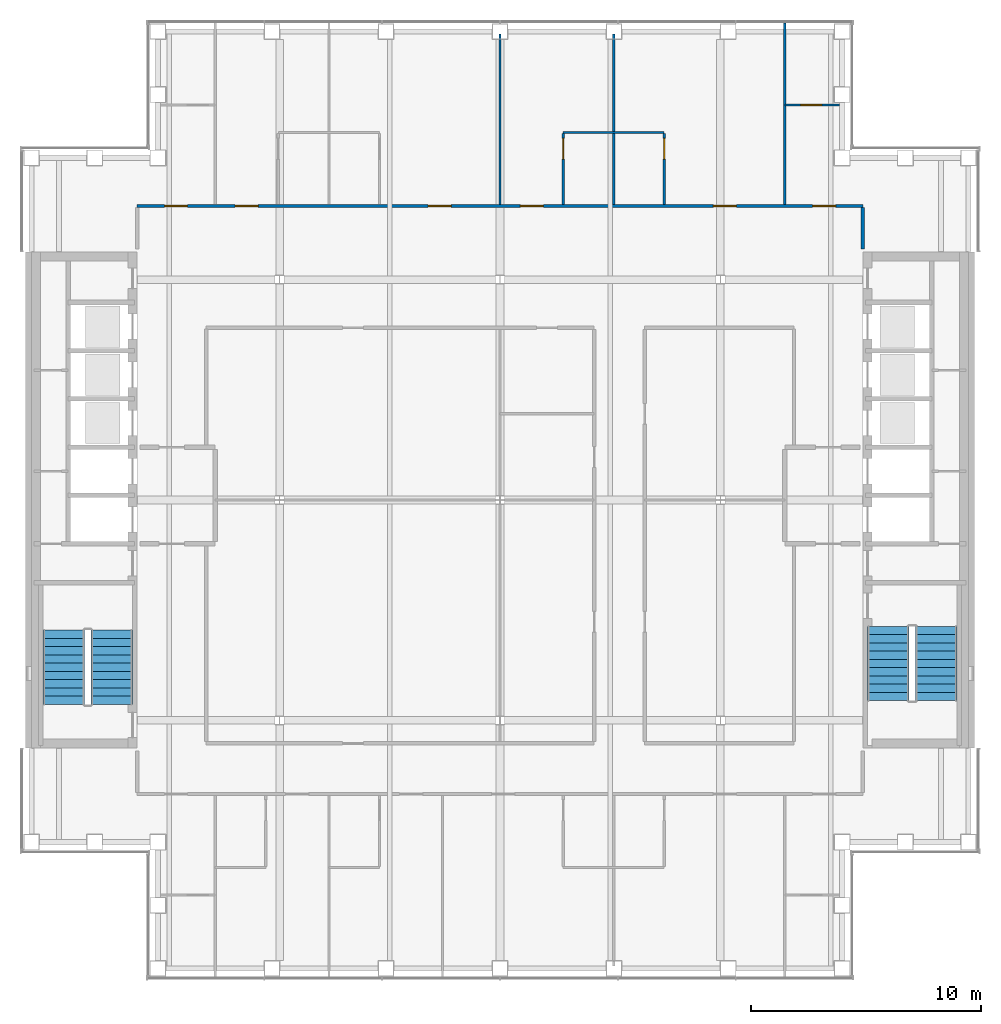
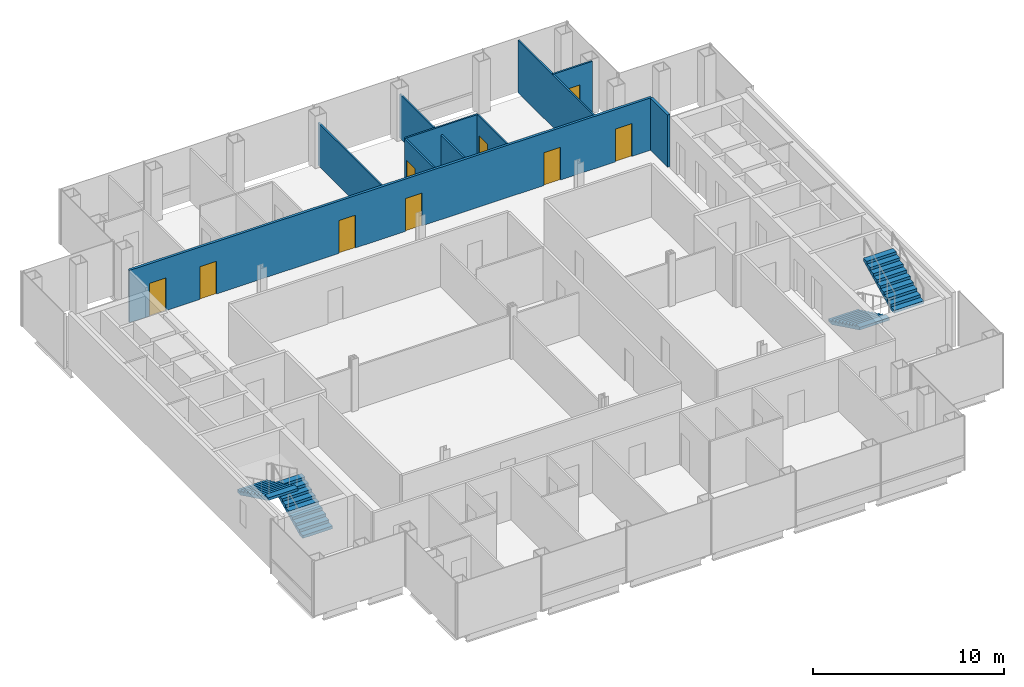
# One storey, part 13 of 15: 10 walls, 9 doors, 4 stair flights, 9 openings, 2 elements without a shape of their own.
"""IFC4 building model written with IfcOpenShell, lengths in metres."""

import ifcopenshell
import ifcopenshell.guid

model = None  # the IFC model being written
_history = None  # IfcOwnerHistory: only IFC2X3 demands one
_inside = {}  # id of a spatial element -> (the spatial element, [elements in it])
_under = {}  # id of a project, library or spatial element -> (it, [spatial elements below it])
_declared = {}  # id of a project -> (the project, [libraries it declares])
_typed = {}  # id of a type object -> (the type object, [elements of that type])
_made_of = {}  # id of a material, layer set ... -> (it, [elements and type objects made of it])


def new_model(schema):
    """Start an empty IFC model of exactly this schema.

    Asked for "IFC4X3", IfcOpenShell would pick the latest addendum, in which some entities
    have other attributes; the version numbers below select the first issue.
    IFC2X3 requires an IfcOwnerHistory on every rooted entity: one is made here for all.
    """
    global model, _history
    if schema == "IFC4X3":
        model = ifcopenshell.file(schema_version=(4, 3, 0, 0))
    else:
        model = ifcopenshell.file(schema=schema)
    _inside.clear()
    _under.clear()
    _declared.clear()
    _typed.clear()
    _made_of.clear()
    _history = None
    if model.schema == "IFC2X3":
        org = make("IfcOrganization", Name="unknown")
        user = make(
            "IfcPersonAndOrganization",
            ThePerson=make("IfcPerson", FamilyName="unknown"),
            TheOrganization=org,
        )
        app = make(
            "IfcApplication",
            ApplicationDeveloper=org,
            Version="unknown",
            ApplicationFullName="unknown",
            ApplicationIdentifier="unknown",
        )
        _history = make(
            "IfcOwnerHistory",
            OwningUser=user,
            OwningApplication=app,
            ChangeAction="ADDED",
            CreationDate=0,
        )
    return model


def make(cls, **values):
    """One entity of the class cls with the attributes given. An attribute that is None is left unset."""
    return model.create_entity(
        cls, **{name: value for name, value in values.items() if value is not None}
    )


def rooted(cls, **values):
    """An entity with a GlobalId (a new one), such as an element, a storey or a relation."""
    return make(cls, GlobalId=ifcopenshell.guid.new(), OwnerHistory=_history, **values)


def si_unit(unit_type, name, prefix=None):
    """IfcSIUnit, for example si_unit("LENGTHUNIT", "METRE", prefix="MILLI")."""
    return make("IfcSIUnit", UnitType=unit_type, Prefix=prefix, Name=name)


def assignment(units):
    """IfcUnitAssignment: the units of a project."""
    return None if units is None else make("IfcUnitAssignment", Units=units)


def point(xyz):
    """IfcCartesianPoint."""
    return None if xyz is None else make("IfcCartesianPoint", Coordinates=xyz)


def direction(xyz):
    """IfcDirection."""
    return None if xyz is None else make("IfcDirection", DirectionRatios=xyz)


def frame(location, z_axis=None, x_axis=None):
    """IfcAxis2Placement3D, a coordinate frame: its origin and axes. An axis left out is left unset."""
    return make(
        "IfcAxis2Placement3D",
        Location=point(location),
        Axis=direction(z_axis),
        RefDirection=direction(x_axis),
    )


def frame_2d(location, x_axis=None):
    """IfcAxis2Placement2D, a coordinate frame in the plane: its origin and x axis."""
    return make(
        "IfcAxis2Placement2D", Location=point(location), RefDirection=direction(x_axis)
    )


def origin():
    """The frame at (0, 0, 0) with its axes left unset."""
    return frame((0.0, 0.0, 0.0))


def place(relative_to, where):
    """IfcLocalPlacement: puts the frame where relative to a parent placement (None: the world)."""
    return make(
        "IfcLocalPlacement", PlacementRelTo=relative_to, RelativePlacement=where
    )


def context(
    kind, dimensions, precision=None, world=None, true_north=None, identifier=None
):
    """IfcGeometricRepresentationContext, for example the 3D "Model" context."""
    return make(
        "IfcGeometricRepresentationContext",
        ContextIdentifier=identifier,
        ContextType=kind,
        CoordinateSpaceDimension=dimensions,
        Precision=precision,
        WorldCoordinateSystem=world,
        TrueNorth=true_north,
    )


def subcontext(parent, identifier, kind, view, scale=None):
    """IfcGeometricRepresentationSubContext, for example "Body" below "Model"."""
    return make(
        "IfcGeometricRepresentationSubContext",
        ContextIdentifier=identifier,
        ContextType=kind,
        ParentContext=parent,
        TargetScale=scale,
        TargetView=view,
    )


def project(units=None, contexts=None):
    """IfcProject with its units and contexts."""
    return rooted(
        "IfcProject",
        Name="project",
        RepresentationContexts=contexts,
        UnitsInContext=assignment(units),
    )


def spatial(cls, under=None, at=None, **own):
    """A site, building, storey or space (cls), placed at a placement, below another one or the project."""
    s = rooted(cls, ObjectPlacement=at, **own)
    if under is not None:
        _under.setdefault(under.id(), (under, []))[1].append(s)
    return s


def polyline(points):
    """IfcPolyline through the points."""
    return make("IfcPolyline", Points=[point(p) for p in points])


def profile(cls, at=None, kind="AREA", **sizes):
    """A parametric profile (cls). Its sizes go by their IFC names, for example OverallWidth=200.0."""
    return make(cls, ProfileType=kind, Position=at, **sizes)


def rectangle(**sizes):
    """IfcRectangleProfileDef."""
    return profile("IfcRectangleProfileDef", **sizes)


def outline(outer, holes=None, kind="AREA"):
    """IfcArbitraryClosedProfileDef: a profile drawn as a closed curve; with holes, ...WithVoids."""
    if holes is None:
        return make("IfcArbitraryClosedProfileDef", ProfileType=kind, OuterCurve=outer)
    return make(
        "IfcArbitraryProfileDefWithVoids",
        ProfileType=kind,
        OuterCurve=outer,
        InnerCurves=holes,
    )


def extrude(swept, where, along, depth):
    """IfcExtrudedAreaSolid: the profile swept, set in the frame where, extruded along a direction by depth."""
    return make(
        "IfcExtrudedAreaSolid",
        SweptArea=swept,
        Position=where,
        ExtrudedDirection=direction(along),
        Depth=depth,
    )


def shape(context_of_items, identifier, shape_type, items):
    """IfcShapeRepresentation: the items that make up one representation, for example the "Body"."""
    return make(
        "IfcShapeRepresentation",
        ContextOfItems=context_of_items,
        RepresentationIdentifier=identifier,
        RepresentationType=shape_type,
        Items=items,
    )


def material(Name=None, Category=None):
    """IfcMaterial."""
    return make("IfcMaterial", Name=Name, Category=Category)


def layer(
    of_material, thickness, ventilated=None, Name=None, Category=None, Priority=None
):
    """IfcMaterialLayer: one layer of a wall or slab, of a material (None: an air gap)."""
    return make(
        "IfcMaterialLayer",
        Material=of_material,
        LayerThickness=thickness,
        IsVentilated=ventilated,
        Name=Name,
        Category=Category,
        Priority=Priority,
    )


def layer_set(layers, Name=None):
    """IfcMaterialLayerSet."""
    return make("IfcMaterialLayerSet", MaterialLayers=layers, LayerSetName=Name)


def made_of(thing, what):
    """Note that an element or type object is made of a material, layer set ...; save() writes the relation."""
    if what is not None:
        _made_of.setdefault(what.id(), (what, []))[1].append(thing)
    return thing


def type_object(cls, material=None, **own):
    """A type object (cls), such as IfcWallType, which elements share."""
    return made_of(rooted(cls, **own), material)


def element(
    cls,
    number,
    at=None,
    inside=None,
    cuts=None,
    type_object=None,
    material=None,
    context=None,
    identifier="Body",
    shape_type=None,
    held_by="IfcProductDefinitionShape",
    body=None,
    shapes=None,
    **own,
):
    """One element of the class cls, such as IfcWall. Its Tag is "e" and its number.

    at: its placement. inside: the storey or other place that contains it. cuts: it is an
    opening in that element (IfcRelVoidsElement). A single representation is given by context,
    identifier, shape_type and body (its items); several are given by shapes. held_by: the class
    of the entity that holds the representations. save() writes the other relations.
    """
    e = rooted(cls, Tag="e%d" % number, ObjectPlacement=at, **own)
    if body is not None:
        shapes = [shape(context, identifier, shape_type, body)]
    if shapes is not None:
        e.Representation = make(held_by, Representations=shapes)
    if inside is not None:
        _inside.setdefault(inside.id(), (inside, []))[1].append(e)
    if cuts is not None:
        rooted(
            "IfcRelVoidsElement", RelatingBuildingElement=cuts, RelatedOpeningElement=e
        )
    if type_object is not None:
        _typed.setdefault(type_object.id(), (type_object, []))[1].append(e)
    return made_of(e, material)


def fill(opening, filler):
    """IfcRelFillsElement: the door or window that sits in an opening."""
    return rooted(
        "IfcRelFillsElement",
        RelatingOpeningElement=opening,
        RelatedBuildingElement=filler,
    )


def aggregate(whole, parts):
    """IfcRelAggregates: a whole, such as a stair, and the parts it consists of."""
    return rooted("IfcRelAggregates", RelatingObject=whole, RelatedObjects=parts)


def save(model, path):
    """Write the relations noted so far, then the file.

    IfcRelAggregates (storeys below a building ...), IfcRelContainedInSpatialStructure (elements
    in a storey), IfcRelDefinesByType, IfcRelAssociatesMaterial and IfcRelDeclares: one each for
    every whole, place, type object, material and project.
    """
    for whole, parts in _under.values():
        aggregate(whole, parts)
    for where, things in _inside.values():
        rooted(
            "IfcRelContainedInSpatialStructure",
            RelatedElements=things,
            RelatingStructure=where,
        )
    for kind, things in _typed.values():
        rooted("IfcRelDefinesByType", RelatedObjects=things, RelatingType=kind)
    for what, things in _made_of.values():
        rooted("IfcRelAssociatesMaterial", RelatedObjects=things, RelatingMaterial=what)
    for by, libraries in _declared.values():
        rooted("IfcRelDeclares", RelatingContext=by, RelatedDefinitions=libraries)
    model.write(path)


model = new_model("IFC4")

# Units and contexts
model_context = context("Model", 3, precision=1e-05, world=origin(), true_north=direction((0.0, 1.0)))
body_context = subcontext(model_context, "Body", "Model", "MODEL_VIEW")
ifc_project = project(units=[si_unit("LENGTHUNIT", "METRE"), si_unit("AREAUNIT", "SQUARE_METRE"), si_unit("VOLUMEUNIT", "CUBIC_METRE"), si_unit("PLANEANGLEUNIT", "RADIAN"), si_unit("MASSUNIT", "GRAM", prefix="KILO")], contexts=[model_context])

# Site, building, storey
site_placement = place(None, origin())
site = spatial("IfcSite", under=ifc_project, at=site_placement, CompositionType="ELEMENT")
building_placement = place(site_placement, origin())
building = spatial("IfcBuilding", under=site, at=building_placement, Name="Cobrizo Arcos Hotel Tower", CompositionType="ELEMENT")
storey_placement = place(building_placement, frame((0.0, 0.0, 201.5)))
storey = spatial("IfcBuildingStorey", under=building, at=storey_placement, Name="L52", CompositionType="ELEMENT", Elevation=201.5)

# Wall, openings, doors
ifc_material_1 = material(Name="Gypsum board partition")
ifc_layer_1 = layer(ifc_material_1, 0.14990234375)
ifc_layer_set_1 = layer_set([ifc_layer_1], Name="Corridor wall EI 60 150")
wall_type_1 = type_object("IfcWallType", Name="Corridor wall EI 60 150", PredefinedType="PARTITIONING", material=ifc_layer_set_1)
wall_1_placement = place(storey_placement, frame((-15.800048828125, 12.800048828125, 0.0), z_axis=(0.0, 0.0, 1.0), x_axis=(1.0, 0.0, 0.0)))
wall_1 = element("IfcWall", 1, at=wall_1_placement, inside=storey, type_object=wall_type_1, Name="Partition 042", PredefinedType="PARTITIONING", context=body_context, shape_type="SweptSolid", body=[
    extrude(rectangle(XDim=31.60009765625, YDim=0.14990234375, at=frame_2d((15.800048828125, 0.0))), origin(), (0.0, 0.0, 1.0), 3.35009765625),
])
opening_1_placement = place(wall_1_placement, frame((4.26708984375, 0.0, 0.0)))
opening_1 = element("IfcOpeningElement", 2, at=opening_1_placement, cuts=wall_1, Name="Opening GD-01", PredefinedType="OPENING", context=body_context, shape_type="SweptSolid", body=[
    extrude(rectangle(XDim=1.0, YDim=2.10009765625, at=frame_2d((0.5, 1.050048828125))), frame((0.0, 0.0869140625, 0.0), z_axis=(0.0, -1.0, 0.0), x_axis=(1.0, 0.0, 0.0)), (0.0, 0.0, 1.0), 0.173828125),
])
opening_2_placement = place(wall_1_placement, frame((12.675048828125, 0.0, 0.0)))
opening_2 = element("IfcOpeningElement", 3, at=opening_2_placement, cuts=wall_1, Name="Opening GD-02", PredefinedType="OPENING", context=body_context, shape_type="SweptSolid", body=[
    extrude(rectangle(XDim=1.0, YDim=2.10009765625, at=frame_2d((0.5, 1.050048828125))), frame((0.0, 0.0869140625, 0.0), z_axis=(0.0, -1.0, 0.0), x_axis=(1.0, 0.0, 0.0)), (0.0, 0.0, 1.0), 0.173828125),
])
opening_3_placement = place(wall_1_placement, frame((16.68408203125, 0.0, 0.0)))
opening_3 = element("IfcOpeningElement", 4, at=opening_3_placement, cuts=wall_1, Name="Opening GD-03", PredefinedType="OPENING", context=body_context, shape_type="SweptSolid", body=[
    extrude(rectangle(XDim=1.0, YDim=2.10009765625, at=frame_2d((0.5, 1.050048828125))), frame((0.0, 0.0869140625, 0.0), z_axis=(0.0, -1.0, 0.0), x_axis=(1.0, 0.0, 0.0)), (0.0, 0.0, 1.0), 0.173828125),
])
opening_4_placement = place(wall_1_placement, frame((25.092041015625, 0.0, 0.0)))
opening_4 = element("IfcOpeningElement", 5, at=opening_4_placement, cuts=wall_1, Name="Opening GD-04", PredefinedType="OPENING", context=body_context, shape_type="SweptSolid", body=[
    extrude(rectangle(XDim=1.0, YDim=2.10009765625, at=frame_2d((0.5, 1.050048828125))), frame((0.0, 0.0869140625, 0.0), z_axis=(0.0, -1.0, 0.0), x_axis=(1.0, 0.0, 0.0)), (0.0, 0.0, 1.0), 0.173828125),
])
opening_5_placement = place(wall_1_placement, frame((1.19189453125, 0.0, 0.0)))
opening_5 = element("IfcOpeningElement", 6, at=opening_5_placement, cuts=wall_1, Name="Opening GD-10", PredefinedType="OPENING", context=body_context, shape_type="SweptSolid", body=[
    extrude(rectangle(XDim=1.0, YDim=2.10009765625, at=frame_2d((0.5, 1.050048828125))), frame((0.0, 0.0869140625, 0.0), z_axis=(0.0, -1.0, 0.0), x_axis=(1.0, 0.0, 0.0)), (0.0, 0.0, 1.0), 0.173828125),
])
opening_6_placement = place(wall_1_placement, frame((29.408935546875, 0.0, 0.0)))
opening_6 = element("IfcOpeningElement", 7, at=opening_6_placement, cuts=wall_1, Name="Opening GD-12", PredefinedType="OPENING", context=body_context, shape_type="SweptSolid", body=[
    extrude(rectangle(XDim=1.0, YDim=2.10009765625, at=frame_2d((0.5, 1.050048828125))), frame((0.0, 0.0869140625, 0.0), z_axis=(0.0, -1.0, 0.0), x_axis=(1.0, 0.0, 0.0)), (0.0, 0.0, 1.0), 0.173828125),
])
ifc_material_2 = material(Name="Timber door leaf", Category="wood")
door_type_1 = type_object("IfcDoorType", Name="Guest room door FD30S 1000x2100", OperationType="SINGLE_SWING_LEFT", PredefinedType="DOOR", material=ifc_material_2)
door_1_placement = place(opening_1_placement, origin())
door_1 = element("IfcDoor", 8, at=door_1_placement, inside=storey, type_object=door_type_1, Name="Door GD-01", OperationType="SINGLE_SWING_LEFT", OverallHeight=2.10009765625, OverallWidth=1.0, PredefinedType="DOOR", context=body_context, shape_type="SweptSolid", body=[
    extrude(rectangle(XDim=1.0, YDim=2.10009765625, at=frame_2d((0.5, 1.050048828125))), frame((0.0, 0.02490234375, 0.0), z_axis=(0.0, -1.0, 0.0), x_axis=(1.0, 0.0, 0.0)), (0.0, 0.0, 1.0), 0.050048828125),
])
fill(opening_1, door_1)
door_2_placement = place(opening_2_placement, origin())
door_2 = element("IfcDoor", 9, at=door_2_placement, inside=storey, type_object=door_type_1, Name="Door GD-02", OperationType="SINGLE_SWING_RIGHT", OverallHeight=2.10009765625, OverallWidth=1.0, PredefinedType="DOOR", context=body_context, shape_type="SweptSolid", body=[
    extrude(rectangle(XDim=1.0, YDim=2.10009765625, at=frame_2d((0.5, 1.050048828125))), frame((0.0, 0.02490234375, 0.0), z_axis=(0.0, -1.0, 0.0), x_axis=(1.0, 0.0, 0.0)), (0.0, 0.0, 1.0), 0.050048828125),
])
fill(opening_2, door_2)
door_3_placement = place(opening_3_placement, origin())
door_3 = element("IfcDoor", 10, at=door_3_placement, inside=storey, type_object=door_type_1, Name="Door GD-03", OperationType="SINGLE_SWING_LEFT", OverallHeight=2.10009765625, OverallWidth=1.0, PredefinedType="DOOR", context=body_context, shape_type="SweptSolid", body=[
    extrude(rectangle(XDim=1.0, YDim=2.10009765625, at=frame_2d((0.5, 1.050048828125))), frame((0.0, 0.02490234375, 0.0), z_axis=(0.0, -1.0, 0.0), x_axis=(1.0, 0.0, 0.0)), (0.0, 0.0, 1.0), 0.050048828125),
])
fill(opening_3, door_3)
door_4_placement = place(opening_4_placement, origin())
door_4 = element("IfcDoor", 11, at=door_4_placement, inside=storey, type_object=door_type_1, Name="Door GD-04", OperationType="SINGLE_SWING_LEFT", OverallHeight=2.10009765625, OverallWidth=1.0, PredefinedType="DOOR", context=body_context, shape_type="SweptSolid", body=[
    extrude(rectangle(XDim=1.0, YDim=2.10009765625, at=frame_2d((0.5, 1.050048828125))), frame((0.0, 0.02490234375, 0.0), z_axis=(0.0, -1.0, 0.0), x_axis=(1.0, 0.0, 0.0)), (0.0, 0.0, 1.0), 0.050048828125),
])
fill(opening_4, door_4)
door_5_placement = place(opening_5_placement, origin())
door_5 = element("IfcDoor", 12, at=door_5_placement, inside=storey, type_object=door_type_1, Name="Door GD-10", OperationType="SINGLE_SWING_LEFT", OverallHeight=2.10009765625, OverallWidth=1.0, PredefinedType="DOOR", context=body_context, shape_type="SweptSolid", body=[
    extrude(rectangle(XDim=1.0, YDim=2.10009765625, at=frame_2d((0.5, 1.050048828125))), frame((0.0, 0.02490234375, 0.0), z_axis=(0.0, -1.0, 0.0), x_axis=(1.0, 0.0, 0.0)), (0.0, 0.0, 1.0), 0.050048828125),
])
fill(opening_5, door_5)
door_6_placement = place(opening_6_placement, origin())
door_6 = element("IfcDoor", 13, at=door_6_placement, inside=storey, type_object=door_type_1, Name="Door GD-12", OperationType="SINGLE_SWING_RIGHT", OverallHeight=2.10009765625, OverallWidth=1.0, PredefinedType="DOOR", context=body_context, shape_type="SweptSolid", body=[
    extrude(rectangle(XDim=1.0, YDim=2.10009765625, at=frame_2d((0.5, 1.050048828125))), frame((0.0, 0.02490234375, 0.0), z_axis=(0.0, -1.0, 0.0), x_axis=(1.0, 0.0, 0.0)), (0.0, 0.0, 1.0), 0.050048828125),
])
fill(opening_6, door_6)

# Walls
wall_2_placement = place(storey_placement, frame((15.800048828125, 10.919921875, 0.0), z_axis=(0.0, 0.0, 1.0), x_axis=(0.0, 1.0, 0.0)))
element("IfcWall", 14, at=wall_2_placement, inside=storey, type_object=wall_type_1, Name="Partition 085", PredefinedType="PARTITIONING", context=body_context, shape_type="SweptSolid", body=[
    extrude(rectangle(XDim=1.80517578125, YDim=0.14990234375, at=frame_2d((0.902587890625, 0.0))), origin(), (0.0, 0.0, 1.0), 3.35009765625),
])
ifc_layer_2 = layer(ifc_material_1, 0.10009765625)
ifc_layer_set_2 = layer_set([ifc_layer_2], Name="Partition EI 30 100")
wall_type_2 = type_object("IfcWallType", Name="Partition EI 30 100", PredefinedType="PARTITIONING", material=ifc_layer_set_2)
wall_3_placement = place(storey_placement, frame((2.75, 16.0, 0.0), z_axis=(0.0, 0.0, 1.0), x_axis=(1.0, 0.0, 0.0)))
element("IfcWall", 15, at=wall_3_placement, inside=storey, type_object=wall_type_2, Name="Partition 044", PredefinedType="PARTITIONING", context=body_context, shape_type="SweptSolid", body=[
    extrude(rectangle(XDim=4.39990234375, YDim=0.10009765625, at=frame_2d((2.199951171875, 0.0))), origin(), (0.0, 0.0, 1.0), 3.35009765625),
])

# Wall, opening, door
wall_4_placement = place(storey_placement, frame((12.39990234375, 17.199951171875, 0.0), z_axis=(0.0, 0.0, 1.0), x_axis=(1.0, 0.0, 0.0)))
wall_4 = element("IfcWall", 16, at=wall_4_placement, inside=storey, type_object=wall_type_2, Name="Partition 046", PredefinedType="PARTITIONING", context=body_context, shape_type="SweptSolid", body=[
    extrude(rectangle(XDim=2.380126953125, YDim=0.10009765625, at=frame_2d((1.18994140625, 0.0))), origin(), (0.0, 0.0, 1.0), 3.35009765625),
])
opening_7_placement = place(wall_4_placement, frame((0.705078125, 0.0, 0.0)))
opening_7 = element("IfcOpeningElement", 17, at=opening_7_placement, cuts=wall_4, Name="Opening ED-12", PredefinedType="OPENING", context=body_context, shape_type="SweptSolid", body=[
    extrude(rectangle(XDim=0.89990234375, YDim=2.10009765625, at=frame_2d((0.449951171875, 1.050048828125))), frame((0.0, 0.06201171875, 0.0), z_axis=(0.0, -1.0, 0.0), x_axis=(1.0, 0.0, 0.0)), (0.0, 0.0, 1.0), 0.1240234375),
])
door_type_2 = type_object("IfcDoorType", Name="En-suite door 900x2100", OperationType="SINGLE_SWING_LEFT", PredefinedType="DOOR", material=ifc_material_2)
door_7_placement = place(opening_7_placement, origin())
door_7 = element("IfcDoor", 18, at=door_7_placement, inside=storey, type_object=door_type_2, Name="Door ED-12", OperationType="SINGLE_SWING_LEFT", OverallHeight=2.10009765625, OverallWidth=0.89990234375, PredefinedType="DOOR", context=body_context, shape_type="SweptSolid", body=[
    extrude(rectangle(XDim=0.89990234375, YDim=2.10009765625, at=frame_2d((0.449951171875, 1.050048828125))), frame((0.0, 0.02490234375, 0.0), z_axis=(0.0, -1.0, 0.0), x_axis=(1.0, 0.0, 0.0)), (0.0, 0.0, 1.0), 0.050048828125),
])
fill(opening_7, door_7)

# Wall
wall_5_placement = place(storey_placement, frame((0.0, 12.875, 0.0), z_axis=(0.0, 0.0, 1.0), x_axis=(0.0, 1.0, 0.0)))
element("IfcWall", 19, at=wall_5_placement, inside=storey, type_object=wall_type_2, Name="Partition 068", PredefinedType="PARTITIONING", context=body_context, shape_type="SweptSolid", body=[
    extrude(rectangle(XDim=7.405029296875, YDim=0.10009765625, at=frame_2d((3.70263671875, 0.0))), origin(), (0.0, 0.0, 1.0), 2.72802734375),
])

# Wall, opening, door
wall_6_placement = place(storey_placement, frame((2.75, 12.875, 0.0), z_axis=(0.0, 0.0, 1.0), x_axis=(0.0, 1.0, 0.0)))
wall_6 = element("IfcWall", 20, at=wall_6_placement, inside=storey, type_object=wall_type_2, Name="Partition 070", PredefinedType="PARTITIONING", context=body_context, shape_type="SweptSolid", body=[
    extrude(rectangle(XDim=3.074951171875, YDim=0.10009765625, at=frame_2d((1.53759765625, 0.0))), origin(), (0.0, 0.0, 1.0), 3.35009765625),
])
opening_8_placement = place(wall_6_placement, frame((1.970947265625, 0.0, 0.0)))
opening_8 = element("IfcOpeningElement", 21, at=opening_8_placement, cuts=wall_6, Name="Opening ED-03", PredefinedType="OPENING", context=body_context, shape_type="SweptSolid", body=[
    extrude(rectangle(XDim=0.89990234375, YDim=2.10009765625, at=frame_2d((0.449951171875, 1.050048828125))), frame((0.0, 0.06201171875, 0.0), z_axis=(0.0, -1.0, 0.0), x_axis=(1.0, 0.0, 0.0)), (0.0, 0.0, 1.0), 0.1240234375),
])
door_8_placement = place(opening_8_placement, origin())
door_8 = element("IfcDoor", 22, at=door_8_placement, inside=storey, type_object=door_type_2, Name="Door ED-03", OperationType="SINGLE_SWING_LEFT", OverallHeight=2.10009765625, OverallWidth=0.89990234375, PredefinedType="DOOR", context=body_context, shape_type="SweptSolid", body=[
    extrude(rectangle(XDim=0.89990234375, YDim=2.10009765625, at=frame_2d((0.449951171875, 1.050048828125))), frame((0.0, 0.02490234375, 0.0), z_axis=(0.0, -1.0, 0.0), x_axis=(1.0, 0.0, 0.0)), (0.0, 0.0, 1.0), 0.050048828125),
])
fill(opening_8, door_8)

# Walls
wall_7_placement = place(storey_placement, frame((4.949951171875, 12.875, 0.0), z_axis=(0.0, 0.0, 1.0), x_axis=(0.0, 1.0, 0.0)))
element("IfcWall", 23, at=wall_7_placement, inside=storey, type_object=wall_type_2, Name="Partition 074", PredefinedType="PARTITIONING", context=body_context, shape_type="SweptSolid", body=[
    extrude(rectangle(XDim=3.074951171875, YDim=0.10009765625, at=frame_2d((1.53759765625, 0.0))), origin(), (0.0, 0.0, 1.0), 2.81689453125),
])
wall_8_placement = place(storey_placement, frame((4.949951171875, 16.050048828125, 0.0), z_axis=(0.0, 0.0, 1.0), x_axis=(0.0, 1.0, 0.0)))
element("IfcWall", 24, at=wall_8_placement, inside=storey, type_object=wall_type_2, Name="Partition 075", PredefinedType="PARTITIONING", context=body_context, shape_type="SweptSolid", body=[
    extrude(rectangle(XDim=4.22998046875, YDim=0.10009765625, at=frame_2d((2.114990234375, 0.0))), origin(), (0.0, 0.0, 1.0), 2.81689453125),
])

# Wall, opening, door
wall_9_placement = place(storey_placement, frame((7.14990234375, 12.875, 0.0), z_axis=(0.0, 0.0, 1.0), x_axis=(0.0, 1.0, 0.0)))
wall_9 = element("IfcWall", 25, at=wall_9_placement, inside=storey, type_object=wall_type_2, Name="Partition 078", PredefinedType="PARTITIONING", context=body_context, shape_type="SweptSolid", body=[
    extrude(rectangle(XDim=3.074951171875, YDim=0.10009765625, at=frame_2d((1.53759765625, 0.0))), origin(), (0.0, 0.0, 1.0), 3.35009765625),
])
opening_9_placement = place(wall_9_placement, frame((1.970947265625, 0.0, 0.0)))
opening_9 = element("IfcOpeningElement", 26, at=opening_9_placement, cuts=wall_9, Name="Opening ED-04", PredefinedType="OPENING", context=body_context, shape_type="SweptSolid", body=[
    extrude(rectangle(XDim=0.89990234375, YDim=2.10009765625, at=frame_2d((0.449951171875, 1.050048828125))), frame((0.0, 0.06201171875, 0.0), z_axis=(0.0, -1.0, 0.0), x_axis=(1.0, 0.0, 0.0)), (0.0, 0.0, 1.0), 0.1240234375),
])
door_9_placement = place(opening_9_placement, origin())
door_9 = element("IfcDoor", 27, at=door_9_placement, inside=storey, type_object=door_type_2, Name="Door ED-04", OperationType="SINGLE_SWING_LEFT", OverallHeight=2.10009765625, OverallWidth=0.89990234375, PredefinedType="DOOR", context=body_context, shape_type="SweptSolid", body=[
    extrude(rectangle(XDim=0.89990234375, YDim=2.10009765625, at=frame_2d((0.449951171875, 1.050048828125))), frame((0.0, 0.02490234375, 0.0), z_axis=(0.0, -1.0, 0.0), x_axis=(1.0, 0.0, 0.0)), (0.0, 0.0, 1.0), 0.050048828125),
])
fill(opening_9, door_9)

# Wall
wall_10_placement = place(storey_placement, frame((12.39990234375, 12.875, 0.0), z_axis=(0.0, 0.0, 1.0), x_axis=(0.0, 1.0, 0.0)))
element("IfcWall", 28, at=wall_10_placement, inside=storey, type_object=wall_type_2, Name="Partition 081", PredefinedType="PARTITIONING", context=body_context, shape_type="SweptSolid", body=[
    extrude(rectangle(XDim=7.905029296875, YDim=0.10009765625, at=frame_2d((3.95263671875, 0.0))), origin(), (0.0, 0.0, 1.0), 3.35009765625),
])

# Stair, stair flights
ifc_material_3 = material(Name="Concrete f'c 40 MPa", Category="concrete")
stair_type = type_object("IfcStairType", Name="Exit stair", PredefinedType="HALF_TURN_STAIR", material=ifc_material_3)
stair_1_placement = place(storey_placement, origin())
stair_1 = element("IfcStair", 29, at=stair_1_placement, inside=storey, type_object=stair_type, Name="L52 Exit stair ST-W", PredefinedType="HALF_TURN_STAIR")
stair_flight_type = type_object("IfcStairFlightType", Name="Exit stair flight", PredefinedType="STRAIGHT", material=ifc_material_3)
stair_flight_1_placement = place(storey_placement, frame((-16.89990234375, -8.89990234375, 0.0), z_axis=(0.0, 0.0, 1.0), x_axis=(0.0, 1.0, 0.0)))
stair_flight_1 = element("IfcStairFlight", 30, at=stair_flight_1_placement, type_object=stair_flight_type, Name="ST-W flight 1", NumberOfRisers=10, NumberOfTreads=9, PredefinedType="STRAIGHT", RiserHeight=0.175, TreadLength=0.36, context=body_context, shape_type="SweptSolid", body=[
    extrude(outline(polyline([(0.0, 0.0), (0.0, 0.175048828125), (0.360107421875, 0.175048828125), (0.360107421875, 0.35009765625), (0.719970703125, 0.35009765625), (0.719970703125, 0.52490234375), (1.080078125, 0.52490234375), (1.080078125, 0.699951171875), (1.43994140625, 0.699951171875), (1.43994140625, 0.875), (1.800048828125, 0.875), (1.800048828125, 1.050048828125), (2.159912109375, 1.050048828125), (2.159912109375, 1.22509765625), (2.52001953125, 1.22509765625), (2.52001953125, 1.39990234375), (2.8798828125, 1.39990234375), (2.8798828125, 1.574951171875), (3.239990234375, 1.574951171875), (3.239990234375, 1.75), (3.239990234375, 1.408203125), (0.3427734375, 0.0), (0.0, 0.0)])), frame((0.0, 0.89990234375, 0.0), z_axis=(0.0, -1.0, 0.0), x_axis=(1.0, 0.0, 0.0)), (0.0, 0.0, 1.0), 1.800048828125),
])
stair_flight_2_placement = place(storey_placement, frame((-19.0, -5.659912109375, 1.75), z_axis=(0.0, 0.0, 1.0), x_axis=(0.0, -1.0, 0.0)))
stair_flight_2 = element("IfcStairFlight", 31, at=stair_flight_2_placement, type_object=stair_flight_type, Name="ST-W flight 2", NumberOfRisers=10, NumberOfTreads=9, PredefinedType="STRAIGHT", RiserHeight=0.175, TreadLength=0.36, context=body_context, shape_type="SweptSolid", body=[
    extrude(outline(polyline([(0.0, 0.0), (0.0, 0.175048828125), (0.360107421875, 0.175048828125), (0.360107421875, 0.35009765625), (0.719970703125, 0.35009765625), (0.719970703125, 0.52490234375), (1.080078125, 0.52490234375), (1.080078125, 0.699951171875), (1.43994140625, 0.699951171875), (1.43994140625, 0.875), (1.800048828125, 0.875), (1.800048828125, 1.050048828125), (2.159912109375, 1.050048828125), (2.159912109375, 1.22509765625), (2.52001953125, 1.22509765625), (2.52001953125, 1.39990234375), (2.8798828125, 1.39990234375), (2.8798828125, 1.574951171875), (3.239990234375, 1.574951171875), (3.239990234375, 1.75), (3.239990234375, 1.408203125), (0.3427734375, 0.0), (0.0, 0.0)])), frame((0.0, 0.89990234375, 0.0), z_axis=(0.0, -1.0, 0.0), x_axis=(1.0, 0.0, 0.0)), (0.0, 0.0, 1.0), 1.800048828125),
])
aggregate(stair_1, [stair_flight_1, stair_flight_2])

stair_2_placement = place(storey_placement, origin())
stair_2 = element("IfcStair", 32, at=stair_2_placement, inside=storey, type_object=stair_type, Name="L52 Exit stair ST-E", PredefinedType="HALF_TURN_STAIR")
stair_flight_3_placement = place(storey_placement, frame((16.89990234375, -5.5, 0.0), z_axis=(0.0, 0.0, 1.0), x_axis=(0.0, -1.0, 0.0)))
stair_flight_3 = element("IfcStairFlight", 33, at=stair_flight_3_placement, type_object=stair_flight_type, Name="ST-E flight 1", NumberOfRisers=10, NumberOfTreads=9, PredefinedType="STRAIGHT", RiserHeight=0.175, TreadLength=0.36, context=body_context, shape_type="SweptSolid", body=[
    extrude(outline(polyline([(0.0, 0.0), (0.0, 0.175048828125), (0.360107421875, 0.175048828125), (0.360107421875, 0.35009765625), (0.719970703125, 0.35009765625), (0.719970703125, 0.52490234375), (1.080078125, 0.52490234375), (1.080078125, 0.699951171875), (1.43994140625, 0.699951171875), (1.43994140625, 0.875), (1.800048828125, 0.875), (1.800048828125, 1.050048828125), (2.159912109375, 1.050048828125), (2.159912109375, 1.22509765625), (2.52001953125, 1.22509765625), (2.52001953125, 1.39990234375), (2.8798828125, 1.39990234375), (2.8798828125, 1.574951171875), (3.239990234375, 1.574951171875), (3.239990234375, 1.75), (3.239990234375, 1.408203125), (0.3427734375, 0.0), (0.0, 0.0)])), frame((0.0, 0.89990234375, 0.0), z_axis=(0.0, -1.0, 0.0), x_axis=(1.0, 0.0, 0.0)), (0.0, 0.0, 1.0), 1.800048828125),
])
stair_flight_4_placement = place(storey_placement, frame((19.0, -8.739990234375, 1.75), z_axis=(0.0, 0.0, 1.0), x_axis=(0.0, 1.0, 0.0)))
stair_flight_4 = element("IfcStairFlight", 34, at=stair_flight_4_placement, type_object=stair_flight_type, Name="ST-E flight 2", NumberOfRisers=10, NumberOfTreads=9, PredefinedType="STRAIGHT", RiserHeight=0.175, TreadLength=0.36, context=body_context, shape_type="SweptSolid", body=[
    extrude(outline(polyline([(0.0, 0.0), (0.0, 0.175048828125), (0.360107421875, 0.175048828125), (0.360107421875, 0.35009765625), (0.719970703125, 0.35009765625), (0.719970703125, 0.52490234375), (1.080078125, 0.52490234375), (1.080078125, 0.699951171875), (1.43994140625, 0.699951171875), (1.43994140625, 0.875), (1.800048828125, 0.875), (1.800048828125, 1.050048828125), (2.159912109375, 1.050048828125), (2.159912109375, 1.22509765625), (2.52001953125, 1.22509765625), (2.52001953125, 1.39990234375), (2.8798828125, 1.39990234375), (2.8798828125, 1.574951171875), (3.239990234375, 1.574951171875), (3.239990234375, 1.75), (3.239990234375, 1.408203125), (0.3427734375, 0.0), (0.0, 0.0)])), frame((0.0, 0.89990234375, 0.0), z_axis=(0.0, -1.0, 0.0), x_axis=(1.0, 0.0, 0.0)), (0.0, 0.0, 1.0), 1.800048828125),
])
aggregate(stair_2, [stair_flight_3, stair_flight_4])

save(model, "model.ifc")
